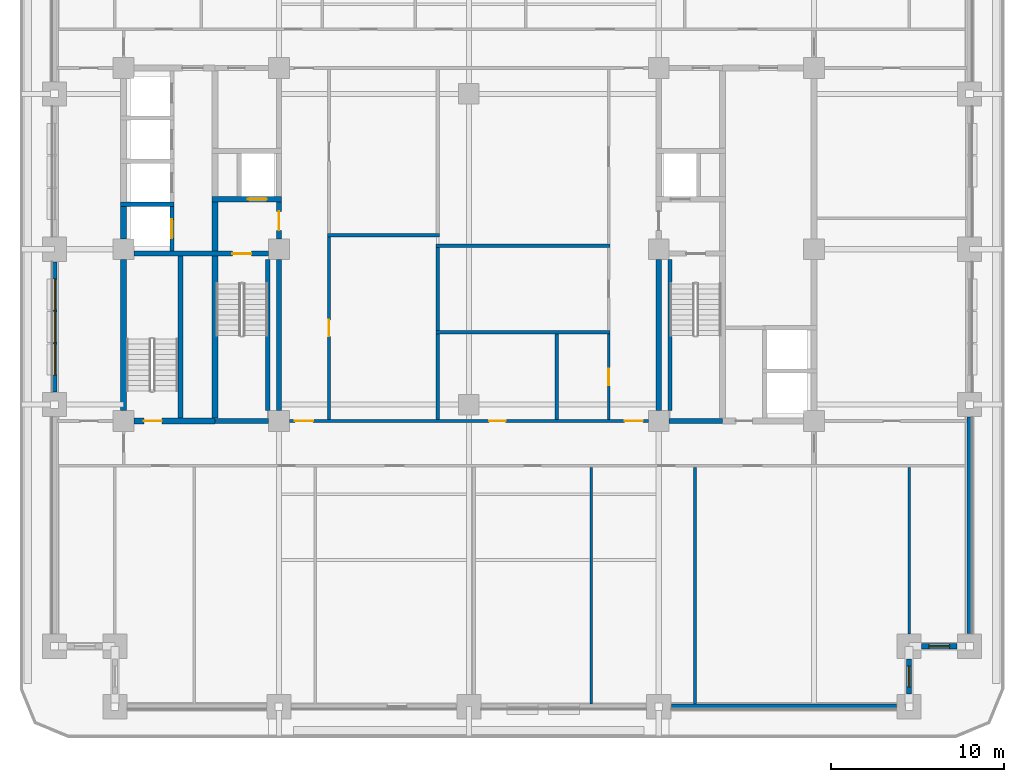
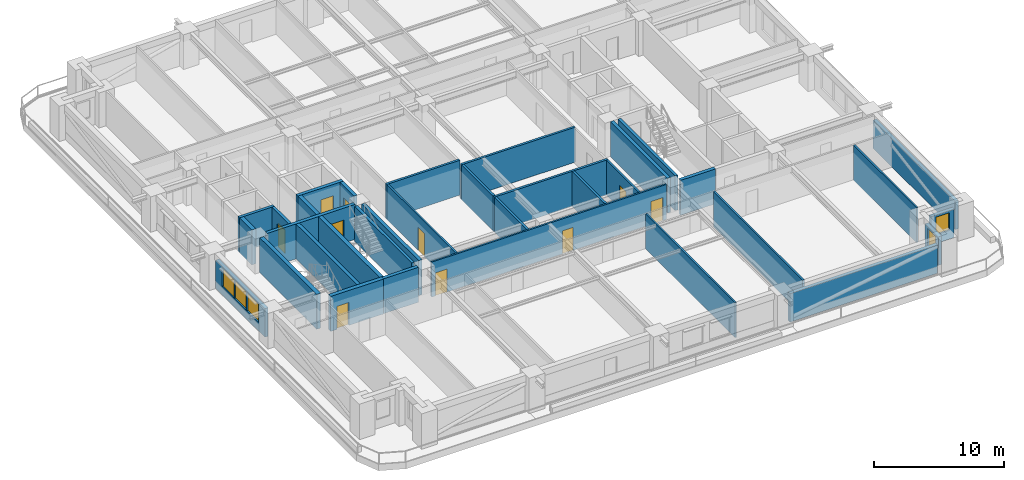
# One storey, part 3 of 14: 34 walls, 10 doors, 5 windows, 15 openings.
"""IFC4 building model written with IfcOpenShell, lengths in metres."""

from ifc_helpers import new_model, si_unit, direction, frame, frame_2d, origin, place, context, subcontext, project, spatial, rectangle, extrude, material, layer, layer_set, type_object, element, fill, save


model = new_model("IFC4")

# Units and contexts
model_context = context("Model", 3, precision=1e-05, world=origin(), true_north=direction((0.0, 1.0)))
body_context = subcontext(model_context, "Body", "Model", "MODEL_VIEW")
ifc_project = project(units=[si_unit("LENGTHUNIT", "METRE"), si_unit("AREAUNIT", "SQUARE_METRE"), si_unit("VOLUMEUNIT", "CUBIC_METRE"), si_unit("PLANEANGLEUNIT", "RADIAN"), si_unit("MASSUNIT", "GRAM", prefix="KILO")], contexts=[model_context])

# Site, building, storey
site_placement = place(None, origin())
site = spatial("IfcSite", under=ifc_project, at=site_placement, CompositionType="ELEMENT")
building_placement = place(site_placement, origin())
building = spatial("IfcBuilding", under=site, at=building_placement, Name="Zulmaris Gate Convention Tower", CompositionType="ELEMENT")
storey_placement = place(building_placement, frame((0.0, 0.0, 30.77001953125)))
storey = spatial("IfcBuildingStorey", under=building, at=storey_placement, Name="L06", CompositionType="ELEMENT", Elevation=30.77001953125)

# Wall
ifc_material_1 = material(Name="Concrete C50/60", Category="concrete")
ifc_layer_1 = layer(ifc_material_1, 0.25, Name="Concrete C50/60")
ifc_layer_set_1 = layer_set([ifc_layer_1], Name="Concrete C50/60")
wall_type_1 = type_object("IfcWallType", Name="CORE-250", PredefinedType="SOLIDWALL", material=ifc_layer_set_1)
wall_1_placement = place(storey_placement, frame((-20.175048828125, 2.60009765625, 0.0), z_axis=(0.0, 0.0, 1.0), x_axis=(1.0, 0.0, 0.0)))
element("IfcWall", 1, at=wall_1_placement, inside=storey, type_object=wall_type_1, Name="WL-L06-009", PredefinedType="SOLIDWALL", context=body_context, shape_type="SweptSolid", body=[
    extrude(rectangle(XDim=3.10009765625, YDim=0.25, at=frame_2d((1.550048828125, 0.0))), origin(), (0.0, 0.0, 1.0), 3.27001953125),
])

# Wall, opening, door
wall_2_placement = place(storey_placement, frame((-17.199951171875, -0.097900390625, 0.0), z_axis=(0.0, 0.0, 1.0), x_axis=(0.0, 1.0, 0.0)))
wall_2 = element("IfcWall", 2, at=wall_2_placement, inside=storey, type_object=wall_type_1, Name="WL-L06-038", PredefinedType="SOLIDWALL", context=body_context, shape_type="SweptSolid", body=[
    extrude(rectangle(XDim=2.57080078125, YDim=0.25, at=frame_2d((1.285400390625, 0.0))), origin(), (0.0, 0.0, 1.0), 3.27001953125),
])
opening_1_placement = place(wall_2_placement, frame((0.722900390625, 0.0, 0.0)))
opening_1 = element("IfcOpeningElement", 3, at=opening_1_placement, cuts=wall_2, Name="Opening D-06", PredefinedType="OPENING", context=body_context, shape_type="SweptSolid", body=[
    extrude(rectangle(XDim=1.10009765625, YDim=2.199951171875, at=frame_2d((0.550048828125, 1.10009765625))), frame((0.0, 0.135009765625, 0.0), z_axis=(0.0, -1.0, 0.0), x_axis=(1.0, 0.0, 0.0)), (0.0, 0.0, 1.0), 0.27001953125),
])
ifc_material_2 = material(Name="Brushed Stainless Steel", Category="steel")
door_type_1 = type_object("IfcDoorType", Name="LD-1100", OperationType="NOTDEFINED", PredefinedType="DOOR", material=ifc_material_2)
door_1_placement = place(opening_1_placement, origin())
door_1 = element("IfcDoor", 4, at=door_1_placement, inside=storey, type_object=door_type_1, Name="L06 Lift Landing Door LP-01 11", OperationType="SLIDING_TO_LEFT", OverallHeight=2.199951171875, OverallWidth=1.10009765625, PredefinedType="DOOR", context=body_context, shape_type="SweptSolid", body=[
    extrude(rectangle(XDim=1.10009765625, YDim=2.199951171875, at=frame_2d((0.550048828125, 1.10009765625))), frame((0.0, 0.02490234375, 0.0), z_axis=(0.0, -1.0, 0.0), x_axis=(1.0, 0.0, 0.0)), (0.0, 0.0, 1.0), 0.050048828125),
])
fill(opening_1, door_1)

# Walls
for number, where, z_axis, x_axis, name in (
    (5, (-11.64990234375, -9.345947265625, 0.0), (0.0, 0.0, 1.0), (0.0, 1.0, 0.0), "WL-L06-048"),
    (6, (11.64990234375, -9.345947265625, 0.0), (0.0, 0.0, 1.0), (0.0, 1.0, 0.0), "WL-L06-057"),
):
    element("IfcWall", number, at=place(storey_placement, frame(where, z_axis=z_axis, x_axis=x_axis)), inside=storey, type_object=wall_type_1, Name=name, PredefinedType="SOLIDWALL", context=body_context, shape_type="SweptSolid", body=[
        extrude(rectangle(XDim=8.741943359375, YDim=0.25, at=frame_2d((4.37109375, 0.0))), origin(), (0.0, 0.0, 1.0), 3.27001953125),
    ])
ifc_layer_2 = layer(ifc_material_1, 0.300048828125, Name="Concrete C50/60")
ifc_layer_set_2 = layer_set([ifc_layer_2], Name="Concrete C50/60")
wall_type_2 = type_object("IfcWallType", Name="CORE-300", PredefinedType="SHEAR", material=ifc_layer_set_2)
for number, where, z_axis, x_axis, name in (
    (7, (-14.699951171875, -9.949951171875, 0.0), (0.0, 0.0, 1.0), (1.0, 0.0, 0.0), "WL-L06-002"),
    (8, (11.60400390625, -9.949951171875, 0.0), (0.0, 0.0, 1.0), (1.0, 0.0, 0.0), "WL-L06-003"),
):
    element("IfcWall", number, at=place(storey_placement, frame(where, z_axis=z_axis, x_axis=x_axis)), inside=storey, type_object=wall_type_2, Name=name, PredefinedType="SHEAR", context=body_context, shape_type="SweptSolid", body=[
        extrude(rectangle(XDim=3.095947265625, YDim=0.300048828125, at=frame_2d((1.5478515625, 0.0))), origin(), (0.0, 0.0, 1.0), 3.27001953125),
    ])

# Wall, opening, door
wall_3_placement = place(storey_placement, frame((-19.39599609375, -0.25, 0.0), z_axis=(0.0, 0.0, 1.0), x_axis=(1.0, 0.0, 0.0)))
wall_3 = element("IfcWall", 9, at=wall_3_placement, inside=storey, type_object=wall_type_2, Name="WL-L06-007", PredefinedType="SHEAR", context=body_context, shape_type="SweptSolid", body=[
    extrude(rectangle(XDim=7.7919921875, YDim=0.300048828125, at=frame_2d((3.89599609375, 0.0))), origin(), (0.0, 0.0, 1.0), 3.27001953125),
])
opening_2_placement = place(wall_3_placement, frame((5.696044921875, 0.0, 0.0)))
opening_2 = element("IfcOpeningElement", 10, at=opening_2_placement, cuts=wall_3, Name="Opening D-08", PredefinedType="OPENING", context=body_context, shape_type="SweptSolid", body=[
    extrude(rectangle(XDim=1.10009765625, YDim=2.14990234375, at=frame_2d((0.550048828125, 1.074951171875))), frame((0.0, 0.16015625, 0.0), z_axis=(0.0, -1.0, 0.0), x_axis=(1.0, 0.0, 0.0)), (0.0, 0.0, 1.0), 0.320068359375),
])
ifc_material_3 = material(Name="Fire-Rated Steel", Category="steel")
door_type_2 = type_object("IfcDoorType", Name="DR-1100-FD", OperationType="NOTDEFINED", PredefinedType="DOOR", material=ifc_material_3)
door_2_placement = place(opening_2_placement, origin())
door_2 = element("IfcDoor", 11, at=door_2_placement, inside=storey, type_object=door_type_2, Name="L06 Exit Stair ST-1 Door 01", OperationType="SINGLE_SWING_RIGHT", OverallHeight=2.14990234375, OverallWidth=1.10009765625, PredefinedType="DOOR", context=body_context, shape_type="SweptSolid", body=[
    extrude(rectangle(XDim=1.10009765625, YDim=2.14990234375, at=frame_2d((0.550048828125, 1.074951171875))), frame((0.0, 0.02490234375, 0.0), z_axis=(0.0, -1.0, 0.0), x_axis=(1.0, 0.0, 0.0)), (0.0, 0.0, 1.0), 0.050048828125),
])
fill(opening_2, door_2)

wall_4_placement = place(storey_placement, frame((-14.875, 2.89990234375, 0.0), z_axis=(0.0, 0.0, 1.0), x_axis=(1.0, 0.0, 0.0)))
wall_4 = element("IfcWall", 12, at=wall_4_placement, inside=storey, type_object=wall_type_2, Name="WL-L06-010", PredefinedType="SHEAR", context=body_context, shape_type="SweptSolid", body=[
    extrude(rectangle(XDim=4.02490234375, YDim=0.300048828125, at=frame_2d((2.012451171875, 0.0))), origin(), (0.0, 0.0, 1.0), 3.27001953125),
])
opening_3_placement = place(wall_4_placement, frame((2.074951171875, 0.0, 0.0)))
opening_3 = element("IfcOpeningElement", 13, at=opening_3_placement, cuts=wall_4, Name="Opening D-06", PredefinedType="OPENING", context=body_context, shape_type="SweptSolid", body=[
    extrude(rectangle(XDim=1.10009765625, YDim=2.199951171875, at=frame_2d((0.550048828125, 1.10009765625))), frame((0.0, 0.16015625, 0.0), z_axis=(0.0, -1.0, 0.0), x_axis=(1.0, 0.0, 0.0)), (0.0, 0.0, 1.0), 0.320068359375),
])
door_3_placement = place(opening_3_placement, origin())
door_3 = element("IfcDoor", 14, at=door_3_placement, inside=storey, type_object=door_type_1, Name="L06 Lift Landing Door LF-01 03", OperationType="SLIDING_TO_LEFT", OverallHeight=2.199951171875, OverallWidth=1.10009765625, PredefinedType="DOOR", context=body_context, shape_type="SweptSolid", body=[
    extrude(rectangle(XDim=1.10009765625, YDim=2.199951171875, at=frame_2d((0.550048828125, 1.10009765625))), frame((0.0, 0.02490234375, 0.0), z_axis=(0.0, -1.0, 0.0), x_axis=(1.0, 0.0, 0.0)), (0.0, 0.0, 1.0), 0.050048828125),
])
fill(opening_3, door_3)

# Walls
wall_5_placement = place(storey_placement, frame((-16.699951171875, -9.77294921875, 0.0), z_axis=(0.0, 0.0, 1.0), x_axis=(0.0, 1.0, 0.0)))
element("IfcWall", 15, at=wall_5_placement, inside=storey, type_object=wall_type_2, Name="WL-L06-042", PredefinedType="SHEAR", context=body_context, shape_type="SweptSolid", body=[
    extrude(rectangle(XDim=9.370849609375, YDim=0.300048828125, at=frame_2d((4.685546875, 0.0))), origin(), (0.0, 0.0, 1.0), 3.27001953125),
])
wall_6_placement = place(storey_placement, frame((-11.0, -9.345947265625, 0.0), z_axis=(0.0, 0.0, 1.0), x_axis=(0.0, 1.0, 0.0)))
element("IfcWall", 16, at=wall_6_placement, inside=storey, type_object=wall_type_2, Name="WL-L06-049", PredefinedType="SHEAR", context=body_context, shape_type="SweptSolid", body=[
    extrude(rectangle(XDim=8.741943359375, YDim=0.300048828125, at=frame_2d((4.37109375, 0.0))), origin(), (0.0, 0.0, 1.0), 3.27001953125),
])

# Wall, opening, door
wall_7_placement = place(storey_placement, frame((-11.0, 0.60400390625, 0.0), z_axis=(0.0, 0.0, 1.0), x_axis=(0.0, 1.0, 0.0)))
wall_7 = element("IfcWall", 17, at=wall_7_placement, inside=storey, type_object=wall_type_2, Name="WL-L06-050", PredefinedType="SHEAR", context=body_context, shape_type="SweptSolid", body=[
    extrude(rectangle(XDim=2.14404296875, YDim=0.300048828125, at=frame_2d((1.072021484375, 0.0))), origin(), (0.0, 0.0, 1.0), 3.27001953125),
])
opening_4_placement = place(wall_7_placement, frame((0.49609375, 0.0, 0.0)))
opening_4 = element("IfcOpeningElement", 18, at=opening_4_placement, cuts=wall_7, Name="Opening D-08", PredefinedType="OPENING", context=body_context, shape_type="SweptSolid", body=[
    extrude(rectangle(XDim=1.10009765625, YDim=2.14990234375, at=frame_2d((0.550048828125, 1.074951171875))), frame((0.0, 0.16015625, 0.0), z_axis=(0.0, -1.0, 0.0), x_axis=(1.0, 0.0, 0.0)), (0.0, 0.0, 1.0), 0.320068359375),
])
door_4_placement = place(opening_4_placement, origin())
door_4 = element("IfcDoor", 19, at=door_4_placement, inside=storey, type_object=door_type_2, Name="L06 West Firefighting Lobby Door 02", OperationType="SINGLE_SWING_LEFT", OverallHeight=2.14990234375, OverallWidth=1.10009765625, PredefinedType="DOOR", context=body_context, shape_type="SweptSolid", body=[
    extrude(rectangle(XDim=1.10009765625, YDim=2.14990234375, at=frame_2d((0.550048828125, 1.074951171875))), frame((0.0, 0.02490234375, 0.0), z_axis=(0.0, -1.0, 0.0), x_axis=(1.0, 0.0, 0.0)), (0.0, 0.0, 1.0), 0.050048828125),
])
fill(opening_4, door_4)

# Wall
wall_8_placement = place(storey_placement, frame((11.0, -9.345947265625, 0.0), z_axis=(0.0, 0.0, 1.0), x_axis=(0.0, 1.0, 0.0)))
element("IfcWall", 20, at=wall_8_placement, inside=storey, type_object=wall_type_2, Name="WL-L06-053", PredefinedType="SHEAR", context=body_context, shape_type="SweptSolid", body=[
    extrude(rectangle(XDim=8.741943359375, YDim=0.300048828125, at=frame_2d((4.37109375, 0.0))), origin(), (0.0, 0.0, 1.0), 3.27001953125),
])

# Wall, opening, door
ifc_material_4 = material(Name="Concrete C55/67", Category="concrete")
ifc_layer_3 = layer(ifc_material_4, 0.35009765625, Name="Concrete C55/67")
ifc_layer_set_3 = layer_set([ifc_layer_3], Name="Concrete C55/67")
wall_type_3 = type_object("IfcWallType", Name="CORE-350", PredefinedType="SHEAR", material=ifc_layer_set_3)
wall_9_placement = place(storey_placement, frame((-19.39599609375, -9.949951171875, 0.0), z_axis=(0.0, 0.0, 1.0), x_axis=(1.0, 0.0, 0.0)))
wall_9 = element("IfcWall", 21, at=wall_9_placement, inside=storey, type_object=wall_type_3, Name="WL-L06-001", PredefinedType="SHEAR", context=body_context, shape_type="SweptSolid", body=[
    extrude(rectangle(XDim=4.696044921875, YDim=0.35009765625, at=frame_2d((2.34814453125, 0.0))), origin(), (0.0, 0.0, 1.0), 3.27001953125),
])
opening_5_placement = place(wall_9_placement, frame((0.571044921875, 0.0, 0.0)))
opening_5 = element("IfcOpeningElement", 22, at=opening_5_placement, cuts=wall_9, Name="Opening D-09", PredefinedType="OPENING", context=body_context, shape_type="SweptSolid", body=[
    extrude(rectangle(XDim=1.050048828125, YDim=2.14990234375, at=frame_2d((0.52490234375, 1.074951171875))), frame((0.0, 0.18505859375, 0.0), z_axis=(0.0, -1.0, 0.0), x_axis=(1.0, 0.0, 0.0)), (0.0, 0.0, 1.0), 0.3701171875),
])
door_type_3 = type_object("IfcDoorType", Name="DR-1050-FD", OperationType="NOTDEFINED", PredefinedType="DOOR", material=ifc_material_3)
door_5_placement = place(opening_5_placement, origin())
door_5 = element("IfcDoor", 23, at=door_5_placement, inside=storey, type_object=door_type_3, Name="L06 Exit Stair ST-3 Door 09", OperationType="SINGLE_SWING_RIGHT", OverallHeight=2.14990234375, OverallWidth=1.050048828125, PredefinedType="DOOR", context=body_context, shape_type="SweptSolid", body=[
    extrude(rectangle(XDim=1.050048828125, YDim=2.14990234375, at=frame_2d((0.52490234375, 1.074951171875))), frame((0.0, 0.02490234375, 0.0), z_axis=(0.0, -1.0, 0.0), x_axis=(1.0, 0.0, 0.0)), (0.0, 0.0, 1.0), 0.050048828125),
])
fill(opening_5, door_5)

# Walls
wall_10_placement = place(storey_placement, frame((-20.0, -9.345947265625, 0.0), z_axis=(0.0, 0.0, 1.0), x_axis=(0.0, 1.0, 0.0)))
element("IfcWall", 24, at=wall_10_placement, inside=storey, type_object=wall_type_3, Name="WL-L06-033", PredefinedType="SHEAR", context=body_context, shape_type="SweptSolid", body=[
    extrude(rectangle(XDim=8.741943359375, YDim=0.35009765625, at=frame_2d((4.37109375, 0.0))), origin(), (0.0, 0.0, 1.0), 3.27001953125),
])
wall_11_placement = place(storey_placement, frame((-20.0, 0.60400390625, 0.0), z_axis=(0.0, 0.0, 1.0), x_axis=(0.0, 1.0, 0.0)))
element("IfcWall", 25, at=wall_11_placement, inside=storey, type_object=wall_type_3, Name="WL-L06-034", PredefinedType="SHEAR", context=body_context, shape_type="SweptSolid", body=[
    extrude(rectangle(XDim=1.868896484375, YDim=0.35009765625, at=frame_2d((0.9345703125, 0.0))), origin(), (0.0, 0.0, 1.0), 3.27001953125),
])
wall_12_placement = place(storey_placement, frame((-14.699951171875, -9.77294921875, 0.0), z_axis=(0.0, 0.0, 1.0), x_axis=(0.0, 1.0, 0.0)))
element("IfcWall", 26, at=wall_12_placement, inside=storey, type_object=wall_type_3, Name="WL-L06-043", PredefinedType="SHEAR", context=body_context, shape_type="SweptSolid", body=[
    extrude(rectangle(XDim=9.370849609375, YDim=0.35009765625, at=frame_2d((4.685546875, 0.0))), origin(), (0.0, 0.0, 1.0), 3.27001953125),
])
wall_13_placement = place(storey_placement, frame((-14.699951171875, -0.097900390625, 0.0), z_axis=(0.0, 0.0, 1.0), x_axis=(0.0, 1.0, 0.0)))
element("IfcWall", 27, at=wall_13_placement, inside=storey, type_object=wall_type_3, Name="WL-L06-044", PredefinedType="SHEAR", context=body_context, shape_type="SweptSolid", body=[
    extrude(rectangle(XDim=2.845947265625, YDim=0.35009765625, at=frame_2d((1.4228515625, 0.0))), origin(), (0.0, 0.0, 1.0), 3.27001953125),
])

# Wall, openings, doors
ifc_material_5 = material(Name="Gypsum Metal Stud Partition")
ifc_layer_4 = layer(ifc_material_5, 0.14990234375, Name="Gypsum Metal Stud Partition")
ifc_layer_set_4 = layer_set([ifc_layer_4], Name="Gypsum Metal Stud Partition")
wall_type_4 = type_object("IfcWallType", Name="PART-150", PredefinedType="PARTITIONING", material=ifc_layer_set_4)
wall_14_placement = place(storey_placement, frame((-10.39404296875, -9.949951171875, 0.0), z_axis=(0.0, 0.0, 1.0), x_axis=(1.0, 0.0, 0.0)))
wall_14 = element("IfcWall", 28, at=wall_14_placement, inside=storey, type_object=wall_type_4, Name="WL-L06-022", PredefinedType="PARTITIONING", context=body_context, shape_type="SweptSolid", body=[
    extrude(rectangle(XDim=20.7880859375, YDim=0.14990234375, at=frame_2d((10.39404296875, 0.0))), origin(), (0.0, 0.0, 1.0), 3.27001953125),
])
opening_6_placement = place(wall_14_placement, frame((0.319091796875, 0.0, 0.0)))
opening_6 = element("IfcOpeningElement", 29, at=opening_6_placement, cuts=wall_14, Name="Opening D-09", PredefinedType="OPENING", context=body_context, shape_type="SweptSolid", body=[
    extrude(rectangle(XDim=1.050048828125, YDim=2.14990234375, at=frame_2d((0.52490234375, 1.074951171875))), frame((0.0, 0.0849609375, 0.0), z_axis=(0.0, -1.0, 0.0), x_axis=(1.0, 0.0, 0.0)), (0.0, 0.0, 1.0), 0.169921875),
])
opening_7_placement = place(wall_14_placement, frame((19.4189453125, 0.0, 0.0)))
opening_7 = element("IfcOpeningElement", 30, at=opening_7_placement, cuts=wall_14, Name="Opening D-09", PredefinedType="OPENING", context=body_context, shape_type="SweptSolid", body=[
    extrude(rectangle(XDim=1.050048828125, YDim=2.14990234375, at=frame_2d((0.52490234375, 1.074951171875))), frame((0.0, 0.0849609375, 0.0), z_axis=(0.0, -1.0, 0.0), x_axis=(1.0, 0.0, 0.0)), (0.0, 0.0, 1.0), 0.169921875),
])
opening_8_placement = place(wall_14_placement, frame((11.569091796875, 0.0, 0.0)))
opening_8 = element("IfcOpeningElement", 31, at=opening_8_placement, cuts=wall_14, Name="Opening D-11", PredefinedType="OPENING", context=body_context, shape_type="SweptSolid", body=[
    extrude(rectangle(XDim=0.949951171875, YDim=2.14990234375, at=frame_2d((0.47509765625, 1.074951171875))), frame((0.0, 0.0849609375, 0.0), z_axis=(0.0, -1.0, 0.0), x_axis=(1.0, 0.0, 0.0)), (0.0, 0.0, 1.0), 0.169921875),
])
door_6_placement = place(opening_6_placement, origin())
door_6 = element("IfcDoor", 32, at=door_6_placement, inside=storey, type_object=door_type_3, Name="L06 SW Spine Link Door 18", OperationType="SINGLE_SWING_LEFT", OverallHeight=2.14990234375, OverallWidth=1.050048828125, PredefinedType="DOOR", context=body_context, shape_type="SweptSolid", body=[
    extrude(rectangle(XDim=1.050048828125, YDim=2.14990234375, at=frame_2d((0.52490234375, 1.074951171875))), frame((0.0, 0.02490234375, 0.0), z_axis=(0.0, -1.0, 0.0), x_axis=(1.0, 0.0, 0.0)), (0.0, 0.0, 1.0), 0.050048828125),
])
fill(opening_6, door_6)
door_7_placement = place(opening_7_placement, origin())
door_7 = element("IfcDoor", 33, at=door_7_placement, inside=storey, type_object=door_type_3, Name="L06 SE Spine Link Door 20", OperationType="SINGLE_SWING_LEFT", OverallHeight=2.14990234375, OverallWidth=1.050048828125, PredefinedType="DOOR", context=body_context, shape_type="SweptSolid", body=[
    extrude(rectangle(XDim=1.050048828125, YDim=2.14990234375, at=frame_2d((0.52490234375, 1.074951171875))), frame((0.0, 0.02490234375, 0.0), z_axis=(0.0, -1.0, 0.0), x_axis=(1.0, 0.0, 0.0)), (0.0, 0.0, 1.0), 0.050048828125),
])
fill(opening_7, door_7)
ifc_material_6 = material(Name="Fire-Rated Timber", Category="wood")
door_type_4 = type_object("IfcDoorType", Name="DR-950-FD", OperationType="NOTDEFINED", PredefinedType="DOOR", material=ifc_material_6)
door_8_placement = place(opening_8_placement, origin())
door_8 = element("IfcDoor", 34, at=door_8_placement, inside=storey, type_object=door_type_4, Name="L06 Print Room Door 38", OperationType="SINGLE_SWING_LEFT", OverallHeight=2.14990234375, OverallWidth=0.949951171875, PredefinedType="DOOR", context=body_context, shape_type="SweptSolid", body=[
    extrude(rectangle(XDim=0.949951171875, YDim=2.14990234375, at=frame_2d((0.47509765625, 1.074951171875))), frame((0.0, 0.02490234375, 0.0), z_axis=(0.0, -1.0, 0.0), x_axis=(1.0, 0.0, 0.0)), (0.0, 0.0, 1.0), 0.050048828125),
])
fill(opening_8, door_8)

# Wall, opening, door
wall_15_placement = place(storey_placement, frame((-8.10009765625, -9.8720703125, 0.0), z_axis=(0.0, 0.0, 1.0), x_axis=(0.0, 1.0, 0.0)))
wall_15 = element("IfcWall", 35, at=wall_15_placement, inside=storey, type_object=wall_type_4, Name="WL-L06-076", PredefinedType="PARTITIONING", context=body_context, shape_type="SweptSolid", body=[
    extrude(rectangle(XDim=10.569091796875, YDim=0.14990234375, at=frame_2d((5.28466796875, 0.0))), origin(), (0.0, 0.0, 1.0), 3.27001953125),
])
opening_9_placement = place(wall_15_placement, frame((4.826904296875, 0.0, 0.0)))
opening_9 = element("IfcOpeningElement", 36, at=opening_9_placement, cuts=wall_15, Name="Opening D-11", PredefinedType="OPENING", context=body_context, shape_type="SweptSolid", body=[
    extrude(rectangle(XDim=0.949951171875, YDim=2.14990234375, at=frame_2d((0.47509765625, 1.074951171875))), frame((0.0, 0.0849609375, 0.0), z_axis=(0.0, -1.0, 0.0), x_axis=(1.0, 0.0, 0.0)), (0.0, 0.0, 1.0), 0.169921875),
])
door_9_placement = place(opening_9_placement, origin())
door_9 = element("IfcDoor", 37, at=door_9_placement, inside=storey, type_object=door_type_4, Name="L06 Wellness Pantry Door 34", OperationType="SINGLE_SWING_LEFT", OverallHeight=2.14990234375, OverallWidth=0.949951171875, PredefinedType="DOOR", context=body_context, shape_type="SweptSolid", body=[
    extrude(rectangle(XDim=0.949951171875, YDim=2.14990234375, at=frame_2d((0.47509765625, 1.074951171875))), frame((0.0, 0.02490234375, 0.0), z_axis=(0.0, -1.0, 0.0), x_axis=(1.0, 0.0, 0.0)), (0.0, 0.0, 1.0), 0.050048828125),
])
fill(opening_9, door_9)

# Wall
wall_16_placement = place(storey_placement, frame((7.10009765625, -26.3349609375, 0.0), z_axis=(0.0, 0.0, 1.0), x_axis=(0.0, 1.0, 0.0)))
element("IfcWall", 38, at=wall_16_placement, inside=storey, type_object=wall_type_4, Name="WL-L06-086", PredefinedType="PARTITIONING", context=body_context, shape_type="SweptSolid", body=[
    extrude(rectangle(XDim=13.70703125, YDim=0.14990234375, at=frame_2d((6.853515625, 0.0))), origin(), (0.0, 0.0, 1.0), 3.27001953125),
])

# Wall, opening, door
wall_17_placement = place(storey_placement, frame((8.10009765625, -9.8720703125, 0.0), z_axis=(0.0, 0.0, 1.0), x_axis=(0.0, 1.0, 0.0)))
wall_17 = element("IfcWall", 39, at=wall_17_placement, inside=storey, type_object=wall_type_4, Name="WL-L06-087", PredefinedType="PARTITIONING", context=body_context, shape_type="SweptSolid", body=[
    extrude(rectangle(XDim=4.968994140625, YDim=0.14990234375, at=frame_2d((2.484375, 0.0))), origin(), (0.0, 0.0, 1.0), 3.27001953125),
])
opening_10_placement = place(wall_17_placement, frame((1.9970703125, 0.0, 0.0)))
opening_10 = element("IfcOpeningElement", 40, at=opening_10_placement, cuts=wall_17, Name="Opening D-11", PredefinedType="OPENING", context=body_context, shape_type="SweptSolid", body=[
    extrude(rectangle(XDim=0.949951171875, YDim=2.14990234375, at=frame_2d((0.47509765625, 1.074951171875))), frame((0.0, 0.0849609375, 0.0), z_axis=(0.0, -1.0, 0.0), x_axis=(1.0, 0.0, 0.0)), (0.0, 0.0, 1.0), 0.169921875),
])
door_10_placement = place(opening_10_placement, origin())
door_10 = element("IfcDoor", 41, at=door_10_placement, inside=storey, type_object=door_type_4, Name="L06 Accessible WC Door 37", OperationType="SINGLE_SWING_RIGHT", OverallHeight=2.14990234375, OverallWidth=0.949951171875, PredefinedType="DOOR", context=body_context, shape_type="SweptSolid", body=[
    extrude(rectangle(XDim=0.949951171875, YDim=2.14990234375, at=frame_2d((0.47509765625, 1.074951171875))), frame((0.0, 0.02490234375, 0.0), z_axis=(0.0, -1.0, 0.0), x_axis=(1.0, 0.0, 0.0)), (0.0, 0.0, 1.0), 0.050048828125),
])
fill(opening_10, door_10)

# Walls
wall_18_placement = place(storey_placement, frame((13.10009765625, -26.3349609375, 0.0), z_axis=(0.0, 0.0, 1.0), x_axis=(0.0, 1.0, 0.0)))
element("IfcWall", 42, at=wall_18_placement, inside=storey, type_object=wall_type_4, Name="WL-L06-091", PredefinedType="PARTITIONING", context=body_context, shape_type="SweptSolid", body=[
    extrude(rectangle(XDim=13.70703125, YDim=0.14990234375, at=frame_2d((6.853515625, 0.0))), origin(), (0.0, 0.0, 1.0), 3.27001953125),
])
wall_19_placement = place(storey_placement, frame((25.5, -22.2939453125, 0.0), z_axis=(0.0, 0.0, 1.0), x_axis=(0.0, 1.0, 0.0)))
element("IfcWall", 43, at=wall_19_placement, inside=storey, type_object=wall_type_4, Name="WL-L06-094", PredefinedType="PARTITIONING", context=body_context, shape_type="SweptSolid", body=[
    extrude(rectangle(XDim=9.666015625, YDim=0.14990234375, at=frame_2d((4.8330078125, 0.0))), origin(), (0.0, 0.0, 1.0), 3.27001953125),
])
ifc_material_7 = material(Name="Autoclaved Aerated Concrete Block and Plasterboard", Category="concrete")
ifc_layer_5 = layer(ifc_material_7, 0.199951171875, Name="Autoclaved Aerated Concrete Block and Plasterboard")
ifc_layer_set_5 = layer_set([ifc_layer_5], Name="Autoclaved Aerated Concrete Block and Plasterboard")
wall_type_5 = type_object("IfcWallType", Name="PART-200", PredefinedType="PARTITIONING", material=ifc_layer_set_5)
for number, where, z_axis, x_axis, name in (
    (44, (-1.89990234375, -4.800048828125, 0.0), (0.0, 0.0, 1.0), (1.0, 0.0, 0.0), "WL-L06-024"),
    (45, (-1.89990234375, 0.199951171875, 0.0), (0.0, 0.0, 1.0), (1.0, 0.0, 0.0), "WL-L06-026"),
):
    element("IfcWall", number, at=place(storey_placement, frame(where, z_axis=z_axis, x_axis=x_axis)), inside=storey, type_object=wall_type_5, Name=name, PredefinedType="PARTITIONING", context=body_context, shape_type="SweptSolid", body=[
        extrude(rectangle(XDim=10.074951171875, YDim=0.199951171875, at=frame_2d((5.03759765625, 0.0))), origin(), (0.0, 0.0, 1.0), 3.27001953125),
    ])
wall_20_placement = place(storey_placement, frame((-8.175048828125, 0.800048828125, 0.0), z_axis=(0.0, 0.0, 1.0), x_axis=(1.0, 0.0, 0.0)))
element("IfcWall", 46, at=wall_20_placement, inside=storey, type_object=wall_type_5, Name="WL-L06-027", PredefinedType="PARTITIONING", context=body_context, shape_type="SweptSolid", body=[
    extrude(rectangle(XDim=6.47509765625, YDim=0.199951171875, at=frame_2d((3.237548828125, 0.0))), origin(), (0.0, 0.0, 1.0), 3.27001953125),
])
wall_21_placement = place(storey_placement, frame((-1.800048828125, -9.8720703125, 0.0), z_axis=(0.0, 0.0, 1.0), x_axis=(0.0, 1.0, 0.0)))
element("IfcWall", 47, at=wall_21_placement, inside=storey, type_object=wall_type_5, Name="WL-L06-079", PredefinedType="PARTITIONING", context=body_context, shape_type="SweptSolid", body=[
    extrude(rectangle(XDim=4.968994140625, YDim=0.199951171875, at=frame_2d((2.484375, 0.0))), origin(), (0.0, 0.0, 1.0), 3.27001953125),
])
wall_22_placement = place(storey_placement, frame((-1.800048828125, -4.697021484375, 0.0), z_axis=(0.0, 0.0, 1.0), x_axis=(0.0, 1.0, 0.0)))
element("IfcWall", 48, at=wall_22_placement, inside=storey, type_object=wall_type_5, Name="WL-L06-080", PredefinedType="PARTITIONING", context=body_context, shape_type="SweptSolid", body=[
    extrude(rectangle(XDim=4.7939453125, YDim=0.199951171875, at=frame_2d((2.39697265625, 0.0))), origin(), (0.0, 0.0, 1.0), 3.27001953125),
])
wall_23_placement = place(storey_placement, frame((5.10009765625, -9.8720703125, 0.0), z_axis=(0.0, 0.0, 1.0), x_axis=(0.0, 1.0, 0.0)))
element("IfcWall", 49, at=wall_23_placement, inside=storey, type_object=wall_type_5, Name="WL-L06-085", PredefinedType="PARTITIONING", context=body_context, shape_type="SweptSolid", body=[
    extrude(rectangle(XDim=4.968994140625, YDim=0.199951171875, at=frame_2d((2.484375, 0.0))), origin(), (0.0, 0.0, 1.0), 3.27001953125),
])

# Wall, opening, window
ifc_material_8 = material(Name="Precast concrete C40/50", Category="concrete")
ifc_layer_6 = layer(ifc_material_8, 0.300048828125, Name="Precast concrete C40/50")
ifc_layer_set_6 = layer_set([ifc_layer_6], Name="Precast concrete C40/50")
wall_type_6 = type_object("IfcWallType", Name="PRECAST-PIER-300", PredefinedType="STANDARD", material=ifc_layer_set_6)
wall_24_placement = place(storey_placement, frame((25.5, -25.77001953125, 0.0), z_axis=(0.0, 0.0, 1.0), x_axis=(0.0, 1.0, 0.0)))
wall_24 = element("IfcWall", 50, at=wall_24_placement, inside=storey, type_object=wall_type_6, Name="EW-L06-NOTCH-SE1_0", PredefinedType="STANDARD", context=body_context, shape_type="SweptSolid", body=[
    extrude(rectangle(XDim=2.0400390625, YDim=0.300048828125, at=frame_2d((1.02001953125, 0.0))), origin(), (0.0, 0.0, 1.0), 2.662109375),
])
opening_11_placement = place(wall_24_placement, frame((0.419921875, 0.0, 0.820068359375)))
opening_11 = element("IfcOpeningElement", 51, at=opening_11_placement, cuts=wall_24, Name="Opening W-04", PredefinedType="OPENING", context=body_context, shape_type="SweptSolid", body=[
    extrude(rectangle(XDim=1.199951171875, YDim=1.64990234375, at=frame_2d((0.60009765625, 0.824951171875))), frame((0.0, 0.16015625, 0.0), z_axis=(0.0, -1.0, 0.0), x_axis=(1.0, 0.0, 0.0)), (0.0, 0.0, 1.0), 0.320068359375),
])
ifc_material_9 = material(Name="Low-E Laminated Double Glazing in Aluminium Frame", Category="aluminium")
window_type_1 = type_object("IfcWindowType", Name="WIN-1200x2100", PartitioningType="SINGLE_PANEL", PredefinedType="WINDOW", material=ifc_material_9)
window_1_placement = place(opening_11_placement, origin())
window_1 = element("IfcWindow", 52, at=window_1_placement, inside=storey, type_object=window_type_1, Name="WN-EW-L06-NOTCH-SE1_0", OverallHeight=1.64990234375, OverallWidth=1.199951171875, PartitioningType="SINGLE_PANEL", PredefinedType="WINDOW", context=body_context, shape_type="SweptSolid", body=[
    extrude(rectangle(XDim=1.199951171875, YDim=1.64990234375, at=frame_2d((0.60009765625, 0.824951171875))), frame((0.0, 0.030029296875, 0.0), z_axis=(0.0, -1.0, 0.0), x_axis=(1.0, 0.0, 0.0)), (0.0, 0.0, 1.0), 0.06005859375),
])
fill(opening_11, window_1)

wall_25_placement = place(storey_placement, frame((26.22998046875, -23.0, 0.0), z_axis=(0.0, 0.0, 1.0), x_axis=(1.0, 0.0, 0.0)))
wall_25 = element("IfcWall", 53, at=wall_25_placement, inside=storey, type_object=wall_type_6, Name="EW-L06-NOTCH-SE2_0", PredefinedType="STANDARD", context=body_context, shape_type="SweptSolid", body=[
    extrude(rectangle(XDim=2.0400390625, YDim=0.300048828125, at=frame_2d((1.02001953125, 0.0))), origin(), (0.0, 0.0, 1.0), 2.662109375),
])
opening_12_placement = place(wall_25_placement, frame((0.419921875, 0.0, 0.820068359375)))
opening_12 = element("IfcOpeningElement", 54, at=opening_12_placement, cuts=wall_25, Name="Opening W-04", PredefinedType="OPENING", context=body_context, shape_type="SweptSolid", body=[
    extrude(rectangle(XDim=1.199951171875, YDim=1.64990234375, at=frame_2d((0.60009765625, 0.824951171875))), frame((0.0, 0.16015625, 0.0), z_axis=(0.0, -1.0, 0.0), x_axis=(1.0, 0.0, 0.0)), (0.0, 0.0, 1.0), 0.320068359375),
])
window_2_placement = place(opening_12_placement, origin())
window_2 = element("IfcWindow", 55, at=window_2_placement, inside=storey, type_object=window_type_1, Name="WN-EW-L06-NOTCH-SE2_0", OverallHeight=1.64990234375, OverallWidth=1.199951171875, PartitioningType="SINGLE_PANEL", PredefinedType="WINDOW", context=body_context, shape_type="SweptSolid", body=[
    extrude(rectangle(XDim=1.199951171875, YDim=1.64990234375, at=frame_2d((0.60009765625, 0.824951171875))), frame((0.0, 0.030029296875, 0.0), z_axis=(0.0, -1.0, 0.0), x_axis=(1.0, 0.0, 0.0)), (0.0, 0.0, 1.0), 0.06005859375),
])
fill(opening_12, window_2)

# Walls
wall_26_placement = place(storey_placement, frame((11.72998046875, -26.5, 0.0), z_axis=(0.0, 0.0, 1.0), x_axis=(1.0, 0.0, 0.0)))
element("IfcWall", 56, at=wall_26_placement, inside=storey, type_object=wall_type_6, Name="EW-L06-S-3_0", PredefinedType="STANDARD", context=body_context, shape_type="SweptSolid", body=[
    extrude(rectangle(XDim=13.0400390625, YDim=0.300048828125, at=frame_2d((6.52001953125, 0.0))), origin(), (0.0, 0.0, 1.0), 2.662109375),
])
wall_27_placement = place(storey_placement, frame((29.0, -22.27001953125, 0.0), z_axis=(0.0, 0.0, 1.0), x_axis=(0.0, 1.0, 0.0)))
element("IfcWall", 57, at=wall_27_placement, inside=storey, type_object=wall_type_6, Name="EW-L06-E-0_0", PredefinedType="STANDARD", context=body_context, shape_type="SweptSolid", body=[
    extrude(rectangle(XDim=12.5400390625, YDim=0.300048828125, at=frame_2d((6.27001953125, 0.0))), origin(), (0.0, 0.0, 1.0), 2.662109375),
])

# Wall, openings, windows
wall_28_placement = place(storey_placement, frame((-24.0, -0.72998046875, 0.0), z_axis=(0.0, 0.0, 1.0), x_axis=(0.0, -1.0, 0.0)))
wall_28 = element("IfcWall", 58, at=wall_28_placement, inside=storey, type_object=wall_type_6, Name="EW-L06-W-1_0", PredefinedType="STANDARD", context=body_context, shape_type="SweptSolid", body=[
    extrude(rectangle(XDim=7.5400390625, YDim=0.300048828125, at=frame_2d((3.77001953125, 0.0))), origin(), (0.0, 0.0, 1.0), 2.662109375),
])
opening_13_placement = place(wall_28_placement, frame((0.985107421875, 0.0, 0.780029296875)))
opening_13 = element("IfcOpeningElement", 59, at=opening_13_placement, cuts=wall_28, Name="Opening W-02", PredefinedType="OPENING", context=body_context, shape_type="SweptSolid", body=[
    extrude(rectangle(XDim=1.800048828125, YDim=1.719970703125, at=frame_2d((0.89990234375, 0.85986328125))), frame((0.0, 0.16015625, 0.0), z_axis=(0.0, -1.0, 0.0), x_axis=(1.0, 0.0, 0.0)), (0.0, 0.0, 1.0), 0.320068359375),
])
opening_14_placement = place(wall_28_placement, frame((2.8701171875, 0.0, 0.780029296875)))
opening_14 = element("IfcOpeningElement", 60, at=opening_14_placement, cuts=wall_28, Name="Opening W-02", PredefinedType="OPENING", context=body_context, shape_type="SweptSolid", body=[
    extrude(rectangle(XDim=1.800048828125, YDim=1.719970703125, at=frame_2d((0.89990234375, 0.85986328125))), frame((0.0, 0.16015625, 0.0), z_axis=(0.0, -1.0, 0.0), x_axis=(1.0, 0.0, 0.0)), (0.0, 0.0, 1.0), 0.320068359375),
])
opening_15_placement = place(wall_28_placement, frame((4.7548828125, 0.0, 0.780029296875)))
opening_15 = element("IfcOpeningElement", 61, at=opening_15_placement, cuts=wall_28, Name="Opening W-02", PredefinedType="OPENING", context=body_context, shape_type="SweptSolid", body=[
    extrude(rectangle(XDim=1.800048828125, YDim=1.719970703125, at=frame_2d((0.89990234375, 0.85986328125))), frame((0.0, 0.16015625, 0.0), z_axis=(0.0, -1.0, 0.0), x_axis=(1.0, 0.0, 0.0)), (0.0, 0.0, 1.0), 0.320068359375),
])
window_type_2 = type_object("IfcWindowType", Name="WIN-1800x2200", PartitioningType="SINGLE_PANEL", PredefinedType="WINDOW", material=ifc_material_9)
window_3_placement = place(opening_13_placement, origin())
window_3 = element("IfcWindow", 62, at=window_3_placement, inside=storey, type_object=window_type_2, Name="WN-EW-L06-W-1_0-1", OverallHeight=1.719970703125, OverallWidth=1.800048828125, PartitioningType="SINGLE_PANEL", PredefinedType="WINDOW", context=body_context, shape_type="SweptSolid", body=[
    extrude(rectangle(XDim=1.800048828125, YDim=1.719970703125, at=frame_2d((0.89990234375, 0.85986328125))), frame((0.0, 0.030029296875, 0.0), z_axis=(0.0, -1.0, 0.0), x_axis=(1.0, 0.0, 0.0)), (0.0, 0.0, 1.0), 0.06005859375),
])
fill(opening_13, window_3)
window_4_placement = place(opening_14_placement, origin())
window_4 = element("IfcWindow", 63, at=window_4_placement, inside=storey, type_object=window_type_2, Name="WN-EW-L06-W-1_0-2", OverallHeight=1.719970703125, OverallWidth=1.800048828125, PartitioningType="SINGLE_PANEL", PredefinedType="WINDOW", context=body_context, shape_type="SweptSolid", body=[
    extrude(rectangle(XDim=1.800048828125, YDim=1.719970703125, at=frame_2d((0.89990234375, 0.85986328125))), frame((0.0, 0.030029296875, 0.0), z_axis=(0.0, -1.0, 0.0), x_axis=(1.0, 0.0, 0.0)), (0.0, 0.0, 1.0), 0.06005859375),
])
fill(opening_14, window_4)
window_5_placement = place(opening_15_placement, origin())
window_5 = element("IfcWindow", 64, at=window_5_placement, inside=storey, type_object=window_type_2, Name="WN-EW-L06-W-1_0-3", OverallHeight=1.719970703125, OverallWidth=1.800048828125, PartitioningType="SINGLE_PANEL", PredefinedType="WINDOW", context=body_context, shape_type="SweptSolid", body=[
    extrude(rectangle(XDim=1.800048828125, YDim=1.719970703125, at=frame_2d((0.89990234375, 0.85986328125))), frame((0.0, 0.030029296875, 0.0), z_axis=(0.0, -1.0, 0.0), x_axis=(1.0, 0.0, 0.0)), (0.0, 0.0, 1.0), 0.06005859375),
])
fill(opening_15, window_5)

save(model, "model.ifc")
